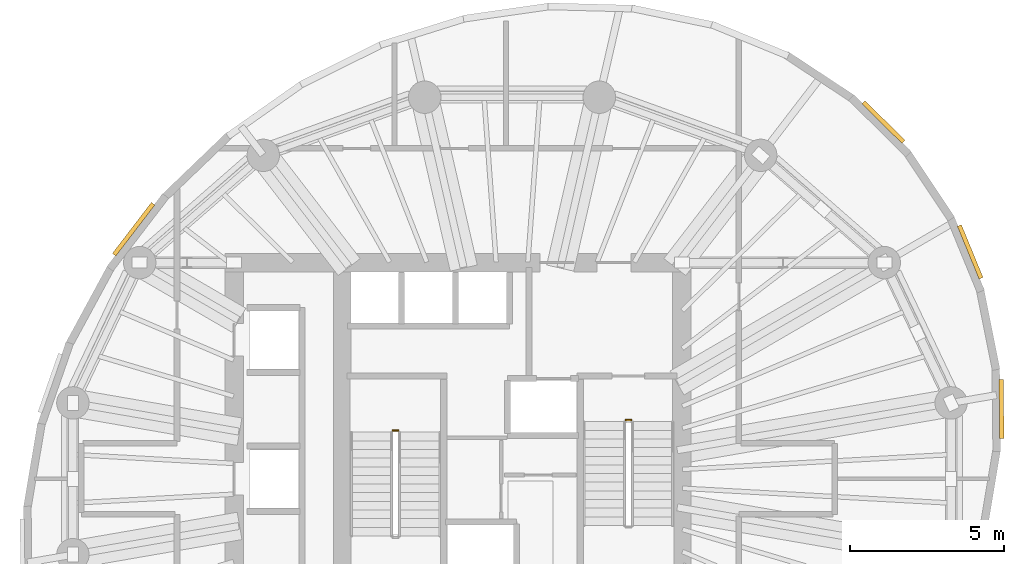
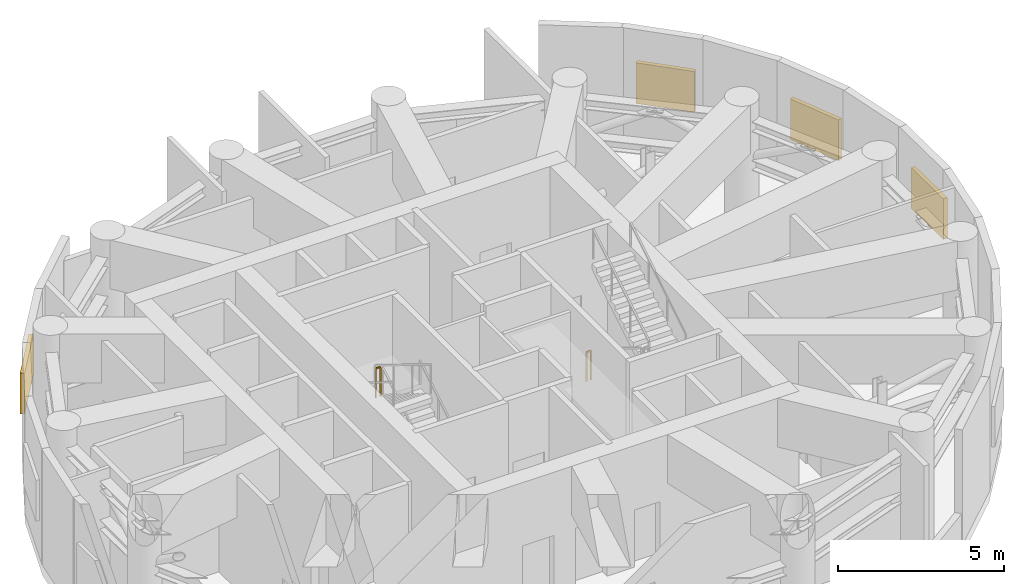
# One storey, part 8 of 8: 4 shading devices, 2 railings.
"""IFC4 building model written with IfcOpenShell, lengths in metres."""

from ifc_helpers import new_model, si_unit, direction, frame, origin, origin_2d, place, context, subcontext, project, spatial, rectangle, extrude, material, layer, layer_set, type_object, element, save


model = new_model("IFC4")

# Units and contexts
model_context = context("Model", 3, precision=1e-05, world=origin(), true_north=direction((0.0, 1.0)))
body_context = subcontext(model_context, "Body", "Model", "MODEL_VIEW")
ifc_project = project(units=[si_unit("LENGTHUNIT", "METRE"), si_unit("AREAUNIT", "SQUARE_METRE"), si_unit("VOLUMEUNIT", "CUBIC_METRE"), si_unit("PLANEANGLEUNIT", "RADIAN"), si_unit("MASSUNIT", "GRAM", prefix="KILO")], contexts=[model_context])

# Site, building, storey
site_placement = place(None, origin())
site = spatial("IfcSite", under=ifc_project, at=site_placement, CompositionType="ELEMENT")
building_placement = place(site_placement, origin())
building = spatial("IfcBuilding", under=site, at=building_placement, Name="Veldorim Arch Residences", CompositionType="ELEMENT")
storey_placement = place(building_placement, frame((0.0, 0.0, 158.56005859375)))
storey = spatial("IfcBuildingStorey", under=building, at=storey_placement, Name="L47", CompositionType="ELEMENT", Elevation=158.56005859375)

# Shading devices
ifc_material_1 = material(Name="Aluminium", Category="aluminium")
ifc_layer = layer(ifc_material_1, 0.14990234375, Name="Acoustic Stormproof Plant Louvre Bank")
ifc_layer_set = layer_set([ifc_layer], Name="Aluminium")
shading_device_type = type_object("IfcShadingDeviceType", Name="Acoustic Stormproof Plant Louvre Bank", PredefinedType="JALOUSIE", material=ifc_layer_set)
shading_device_1_placement = place(storey_placement, frame((44.03271484375, 35.552978515625, 1.349853515625), z_axis=(0.0, 0.0, 1.0), x_axis=(0.709939584863, -0.704262583022, 0.0)))
element("IfcShadingDevice", 1, at=shading_device_1_placement, inside=storey, type_object=shading_device_type, Name="L47 plant stormproof acoustic louvre 00", PredefinedType="JALOUSIE", context=body_context, shape_type="SweptSolid", body=[
    extrude(rectangle(XDim=1.824951171875, YDim=0.139892578125, at=origin_2d()), origin(), (0.0, 0.0, 1.0), 1.5),
])
shading_device_2_placement = place(storey_placement, frame((19.745361328125, 32.0830078125, 1.349853515625), z_axis=(0.0, 0.0, 1.0), x_axis=(0.607514481979, 0.794308601354, 0.0)))
element("IfcShadingDevice", 2, at=shading_device_2_placement, inside=storey, type_object=shading_device_type, Name="L47 plant stormproof acoustic louvre 10", PredefinedType="JALOUSIE", context=body_context, shape_type="SweptSolid", body=[
    extrude(rectangle(XDim=2.0791015625, YDim=0.139892578125, at=origin_2d()), origin(), (0.0, 0.0, 1.0), 1.5),
])
shading_device_3_placement = place(storey_placement, frame((47.853515625, 26.26171875, 1.349853515625), z_axis=(0.0, 0.0, 1.0), x_axis=(0.010995352723, -0.999939549282, 0.0)))
element("IfcShadingDevice", 3, at=shading_device_3_placement, inside=storey, type_object=shading_device_type, Name="L47 plant stormproof acoustic louvre 32", PredefinedType="JALOUSIE", context=body_context, shape_type="SweptSolid", body=[
    extrude(rectangle(XDim=1.9169921875, YDim=0.139892578125, at=origin_2d()), origin(), (0.0, 0.0, 1.0), 1.5),
])
shading_device_4_placement = place(storey_placement, frame((46.839111328125, 31.350341796875, 1.349853515625), z_axis=(0.0, 0.0, 1.0), x_axis=(0.380263412733, -0.924878228167, 0.0)))
element("IfcShadingDevice", 4, at=shading_device_4_placement, inside=storey, type_object=shading_device_type, Name="L47 plant stormproof acoustic louvre 34", PredefinedType="JALOUSIE", context=body_context, shape_type="SweptSolid", body=[
    extrude(rectangle(XDim=1.842041015625, YDim=0.139892578125, at=origin_2d()), origin(), (0.0, 0.0, 1.0), 1.5),
])

# Railings
ifc_material_2 = material(Name="Steel S355", Category="steel")
railing_type = type_object("IfcRailingType", Name="Galvanised Steel Stair Safety Guardrail 1100", PredefinedType="GUARDRAIL", material=ifc_material_2)
railing_1_placement = place(storey_placement, frame((28.31005859375, 25.56005859375, 2.239990234375)))
element("IfcRailing", 5, at=railing_1_placement, inside=storey, type_object=railing_type, Name="L47 ST-1 stair guard 2", PredefinedType="GUARDRAIL", context=body_context, shape_type="SweptSolid", body=[
    extrude(rectangle(XDim=0.048095703125, YDim=0.048095703125, at=origin_2d()), frame((0.0, 0.0, 1.076171875), z_axis=(-1.0, 0.0, 0.0), x_axis=(0.0, -1.0, 0.0)), (0.0, 0.0, 1.0), 0.16015625),
    extrude(rectangle(XDim=0.0419921875, YDim=0.0419921875, at=origin_2d()), origin(), (0.0, 0.0, 1.0), 1.052001953125),
    extrude(rectangle(XDim=0.0419921875, YDim=0.0419921875, at=origin_2d()), frame((-0.16015625, 0.0, 0.0)), (0.0, 0.0, 1.0), 1.052001953125),
])
railing_2_placement = place(storey_placement, frame((35.68994140625, 25.89990234375, 0.0)))
element("IfcRailing", 6, at=railing_2_placement, inside=storey, type_object=railing_type, Name="L47 ST-2 stair guard 4", PredefinedType="GUARDRAIL", context=body_context, shape_type="SweptSolid", body=[
    extrude(rectangle(XDim=0.048095703125, YDim=0.048095703125, at=origin_2d()), frame((0.0, 0.0, 1.076171875), z_axis=(1.0, 0.0, 0.0), x_axis=(0.0, 1.0, 0.0)), (0.0, 0.0, 1.0), 0.16015625),
    extrude(rectangle(XDim=0.0419921875, YDim=0.0419921875, at=origin_2d()), origin(), (0.0, 0.0, 1.0), 1.052001953125),
    extrude(rectangle(XDim=0.0419921875, YDim=0.0419921875, at=origin_2d()), frame((0.16015625, 0.0, 0.0)), (0.0, 0.0, 1.0), 1.052001953125),
])

save(model, "model.ifc")
